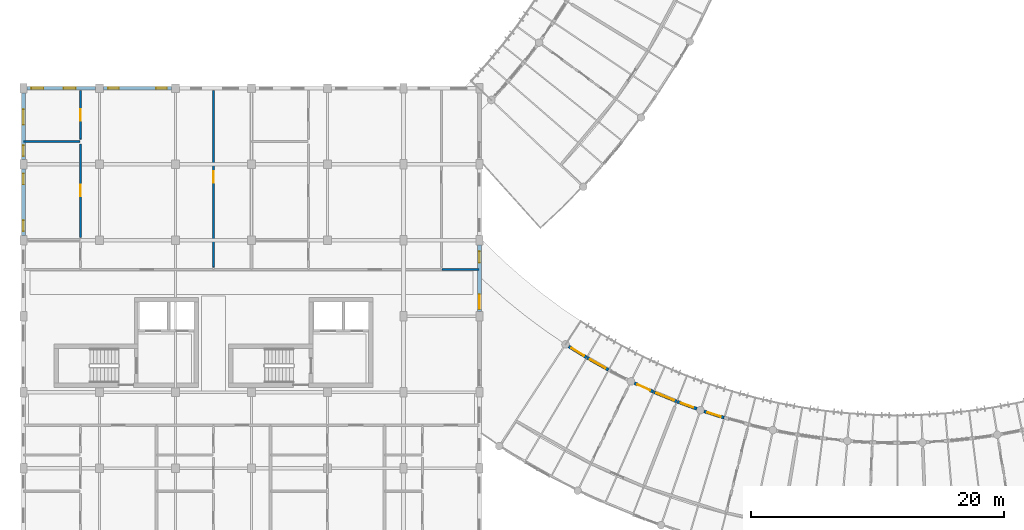
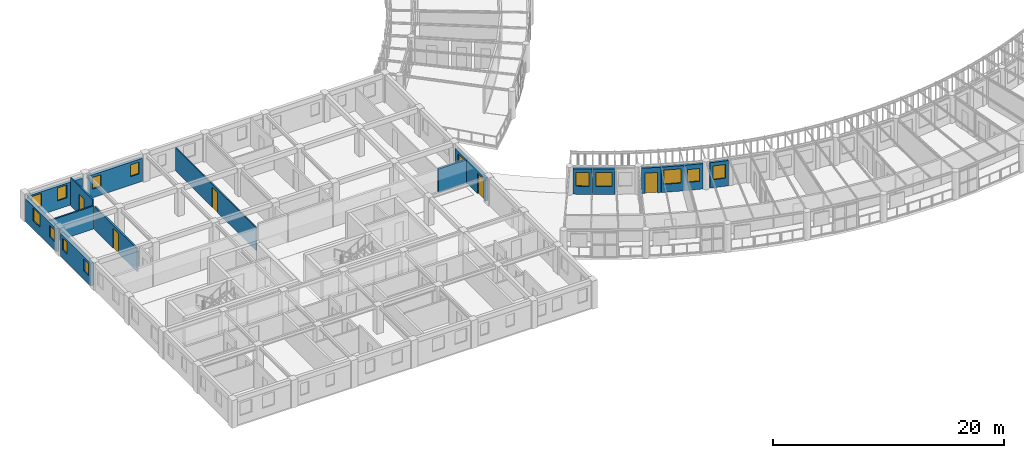
# One storey, part 58 of 100: 16 walls, 14 windows, 5 doors, 19 openings.
"""IFC4 building model written with IfcOpenShell, lengths in metres."""

from ifc_helpers import new_model, si_unit, direction, frame, frame_2d, origin, place, context, subcontext, project, spatial, rectangle, extrude, material, layer, layer_set, type_object, element, fill, save


model = new_model("IFC4")

# Units and contexts
model_context = context("Model", 3, precision=1e-05, world=origin(), true_north=direction((0.0, 1.0)))
body_context = subcontext(model_context, "Body", "Model", "MODEL_VIEW")
ifc_project = project(units=[si_unit("LENGTHUNIT", "METRE"), si_unit("AREAUNIT", "SQUARE_METRE"), si_unit("VOLUMEUNIT", "CUBIC_METRE"), si_unit("PLANEANGLEUNIT", "RADIAN"), si_unit("MASSUNIT", "GRAM", prefix="KILO"), si_unit("POWERUNIT", "WATT"), si_unit("THERMODYNAMICTEMPERATUREUNIT", "KELVIN")], contexts=[model_context])

# Site, building, storey
site_placement = place(None, origin())
site = spatial("IfcSite", under=ifc_project, at=site_placement, CompositionType="ELEMENT")
building_placement = place(site_placement, origin())
building = spatial("IfcBuilding", under=site, at=building_placement, Name="Ruvembo Vaulted Housing Court", CompositionType="ELEMENT")
storey_placement = place(building_placement, frame((0.0, 0.0, 14.10009765625)))
storey = spatial("IfcBuildingStorey", under=building, at=storey_placement, Name="L04", CompositionType="ELEMENT", Elevation=14.10009765625)

# Wall
ifc_material_1 = material(Name="Concrete Blockwork 190", Category="masonry")
ifc_layer_1 = layer(ifc_material_1, 0.18994140625, Name="Concrete Blockwork 190")
ifc_layer_set_1 = layer_set([ifc_layer_1], Name="Concrete Blockwork 190")
wall_type_1 = type_object("IfcWallType", Name="WL-CORR-190", PredefinedType="SOLIDWALL", material=ifc_layer_set_1)
wall_1_placement = place(storey_placement, frame((33.0400390625, 27.699951171875, 0.0), z_axis=(0.0, 0.0, 1.0), x_axis=(1.0, 0.0, 0.0)))
element("IfcWall", 1, at=wall_1_placement, inside=storey, type_object=wall_type_1, Name="L04 Flat A-L04-N2 Corridor Wall 2 WL-INT-L04-01135", PredefinedType="SOLIDWALL", context=body_context, shape_type="SweptSolid", body=[
    extrude(rectangle(XDim=2.919921875, YDim=0.18994140625, at=frame_2d((1.4599609375, 0.0))), origin(), (0.0, 0.0, 1.0), 2.431884765625),
])

# Wall, opening, window
ifc_material_2 = material(Name="Rendered Masonry 235", Category="masonry")
ifc_layer_2 = layer(ifc_material_2, 0.235107421875, Name="Rendered Masonry 235")
ifc_layer_set_2 = layer_set([ifc_layer_2], Name="Rendered Masonry 235")
wall_type_2 = type_object("IfcWallType", Name="WL-EXT-235", PredefinedType="STANDARD", material=ifc_layer_set_2)
wall_2_placement = place(storey_placement, frame((43.048095703125, 21.626708984375, 0.0), z_axis=(0.0, 0.0, 1.0), x_axis=(0.848955427013, -0.528464457598, 0.0)))
wall_2 = element("IfcWall", 2, at=wall_2_placement, inside=storey, type_object=wall_type_2, Name="Scoop SC2 L04 Concave Balcony Wall 0", PredefinedType="STANDARD", context=body_context, shape_type="SweptSolid", body=[
    extrude(rectangle(XDim=1.659912109375, YDim=0.235107421875, at=frame_2d((0.830078125, 0.0))), origin(), (0.0, 0.0, 1.0), 2.683837890625),
])
opening_1_placement = place(wall_2_placement, frame((0.2548828125, 0.0, 0.85009765625)))
opening_1 = element("IfcOpeningElement", 3, at=opening_1_placement, cuts=wall_2, Name="Opening W11", PredefinedType="OPENING", context=body_context, shape_type="SweptSolid", body=[
    extrude(rectangle(XDim=1.14990234375, YDim=1.449951171875, at=frame_2d((0.574951171875, 0.72509765625))), frame((0.0, 0.12744140625, 0.0), z_axis=(0.0, -1.0, 0.0), x_axis=(1.0, 0.0, 0.0)), (0.0, 0.0, 1.0), 0.255126953125),
])
ifc_material_3 = material(Name="Double Solar-Control Glazing in Aluminium Frame", Category="aluminium")
window_type_1 = type_object("IfcWindowType", Name="WIN-1150x1450", PartitioningType="SINGLE_PANEL", PredefinedType="WINDOW", material=ifc_material_3)
window_1_placement = place(opening_1_placement, origin())
window_1 = element("IfcWindow", 4, at=window_1_placement, inside=storey, type_object=window_type_1, Name="Scoop SC2 L04 Concave Window 0", OverallHeight=1.449951171875, OverallWidth=1.14990234375, PartitioningType="SINGLE_PANEL", PredefinedType="WINDOW", context=body_context, shape_type="SweptSolid", body=[
    extrude(rectangle(XDim=1.14990234375, YDim=1.449951171875, at=frame_2d((0.574951171875, 0.72509765625))), frame((0.0, 0.030029296875, 0.0), z_axis=(0.0, -1.0, 0.0), x_axis=(1.0, 0.0, 0.0)), (0.0, 0.0, 1.0), 0.06005859375),
])
fill(opening_1, window_1)

wall_3_placement = place(storey_placement, frame((44.49169921875, 20.72900390625, 0.0), z_axis=(0.0, 0.0, 1.0), x_axis=(0.86993400964, -0.493168144623, 0.0)))
wall_3 = element("IfcWall", 5, at=wall_3_placement, inside=storey, type_object=wall_type_2, Name="Scoop SC2 L04 Concave Balcony Wall 1", PredefinedType="STANDARD", context=body_context, shape_type="SweptSolid", body=[
    extrude(rectangle(XDim=1.940185546875, YDim=0.235107421875, at=frame_2d((0.97021484375, 0.0))), origin(), (0.0, 0.0, 1.0), 2.683837890625),
])
opening_2_placement = place(wall_3_placement, frame((0.27001953125, 0.0, 0.85009765625)))
opening_2 = element("IfcOpeningElement", 6, at=opening_2_placement, cuts=wall_3, Name="Opening W17", PredefinedType="OPENING", context=body_context, shape_type="SweptSolid", body=[
    extrude(rectangle(XDim=1.39990234375, YDim=1.5, at=frame_2d((0.699951171875, 0.75))), frame((0.0, 0.12744140625, 0.0), z_axis=(0.0, -1.0, 0.0), x_axis=(1.0, 0.0, 0.0)), (0.0, 0.0, 1.0), 0.255126953125),
])
window_type_2 = type_object("IfcWindowType", Name="WIN-1400x1500", PartitioningType="SINGLE_PANEL", PredefinedType="WINDOW", material=ifc_material_3)
window_2_placement = place(opening_2_placement, origin())
window_2 = element("IfcWindow", 7, at=window_2_placement, inside=storey, type_object=window_type_2, Name="Scoop SC2 L04 Concave Window 1", OverallHeight=1.5, OverallWidth=1.39990234375, PartitioningType="SINGLE_PANEL", PredefinedType="WINDOW", context=body_context, shape_type="SweptSolid", body=[
    extrude(rectangle(XDim=1.39990234375, YDim=1.5, at=frame_2d((0.699951171875, 0.75))), frame((0.0, 0.030029296875, 0.0), z_axis=(0.0, -1.0, 0.0), x_axis=(1.0, 0.0, 0.0)), (0.0, 0.0, 1.0), 0.06005859375),
])
fill(opening_2, window_2)

# Wall, opening, door
wall_4_placement = place(storey_placement, frame((48.23046875, 18.73193359375, 0.0), z_axis=(0.0, 0.0, 1.0), x_axis=(0.907631944022, -0.419766904592, 0.0)))
wall_4 = element("IfcWall", 8, at=wall_4_placement, inside=storey, type_object=wall_type_2, Name="Scoop SC2 L04 Concave Balcony Wall 3", PredefinedType="STANDARD", context=body_context, shape_type="SweptSolid", body=[
    extrude(rectangle(XDim=1.659912109375, YDim=0.235107421875, at=frame_2d((0.830078125, 0.0))), origin(), (0.0, 0.0, 1.0), 2.683837890625),
])
opening_3_placement = place(wall_4_placement, frame((0.280029296875, 0.0, 0.0)))
opening_3 = element("IfcOpeningElement", 9, at=opening_3_placement, cuts=wall_4, Name="Opening BD3", PredefinedType="OPENING", context=body_context, shape_type="SweptSolid", body=[
    extrude(rectangle(XDim=1.10009765625, YDim=2.14990234375, at=frame_2d((0.550048828125, 1.074951171875))), frame((0.0, 0.12744140625, 0.0), z_axis=(0.0, -1.0, 0.0), x_axis=(1.0, 0.0, 0.0)), (0.0, 0.0, 1.0), 0.255126953125),
])
ifc_material_4 = material(Name="Thermally Broken Glazed Aluminium", Category="aluminium")
door_type_1 = type_object("IfcDoorType", Name="DR-BAL-1100x2150", OperationType="NOTDEFINED", PredefinedType="DOOR", material=ifc_material_4)
door_1_placement = place(opening_3_placement, origin())
door_1 = element("IfcDoor", 10, at=door_1_placement, inside=storey, type_object=door_type_1, Name="Scoop SC2 L04 Balcony Door 3", OperationType="SINGLE_SWING_LEFT", OverallHeight=2.14990234375, OverallWidth=1.10009765625, PredefinedType="DOOR", context=body_context, shape_type="SweptSolid", body=[
    extrude(rectangle(XDim=1.10009765625, YDim=2.14990234375, at=frame_2d((0.550048828125, 1.074951171875))), frame((0.0, 0.02490234375, 0.0), z_axis=(0.0, -1.0, 0.0), x_axis=(1.0, 0.0, 0.0)), (0.0, 0.0, 1.0), 0.050048828125),
])
fill(opening_3, door_1)

# Wall, opening, window
wall_5_placement = place(storey_placement, frame((49.773681640625, 18.019287109375, 0.0), z_axis=(0.0, 0.0, 1.0), x_axis=(0.92414555515, -0.382040564465, 0.0)))
wall_5 = element("IfcWall", 11, at=wall_5_placement, inside=storey, type_object=wall_type_2, Name="Scoop SC2 L04 Concave Balcony Wall 4", PredefinedType="STANDARD", context=body_context, shape_type="SweptSolid", body=[
    extrude(rectangle(XDim=1.940185546875, YDim=0.235107421875, at=frame_2d((0.97021484375, 0.0))), origin(), (0.0, 0.0, 1.0), 2.683837890625),
])
opening_4_placement = place(wall_5_placement, frame((0.219970703125, 0.0, 0.85009765625)))
opening_4 = element("IfcOpeningElement", 12, at=opening_4_placement, cuts=wall_5, Name="Opening W19", PredefinedType="OPENING", context=body_context, shape_type="SweptSolid", body=[
    extrude(rectangle(XDim=1.5, YDim=1.5, at=frame_2d((0.75, 0.75))), frame((0.0, 0.12744140625, 0.0), z_axis=(0.0, -1.0, 0.0), x_axis=(1.0, 0.0, 0.0)), (0.0, 0.0, 1.0), 0.255126953125),
])
window_type_3 = type_object("IfcWindowType", Name="WIN-1500x1500", PartitioningType="SINGLE_PANEL", PredefinedType="WINDOW", material=ifc_material_3)
window_3_placement = place(opening_4_placement, origin())
window_3 = element("IfcWindow", 13, at=window_3_placement, inside=storey, type_object=window_type_3, Name="Scoop SC2 L04 Concave Window 4", OverallHeight=1.5, OverallWidth=1.5, PartitioningType="SINGLE_PANEL", PredefinedType="WINDOW", context=body_context, shape_type="SweptSolid", body=[
    extrude(rectangle(XDim=1.5, YDim=1.5, at=frame_2d((0.75, 0.75))), frame((0.0, 0.030029296875, 0.0), z_axis=(0.0, -1.0, 0.0), x_axis=(1.0, 0.0, 0.0)), (0.0, 0.0, 1.0), 0.06005859375),
])
fill(opening_4, window_3)

wall_6_placement = place(storey_placement, frame((51.60400390625, 17.263671875, 0.0), z_axis=(0.0, 0.0, 1.0), x_axis=(0.939139054149, -0.343537242482, 0.0)))
wall_6 = element("IfcWall", 14, at=wall_6_placement, inside=storey, type_object=wall_type_2, Name="Scoop SC2 L04 Concave Balcony Wall 5", PredefinedType="STANDARD", context=body_context, shape_type="SweptSolid", body=[
    extrude(rectangle(XDim=1.66015625, YDim=0.235107421875, at=frame_2d((0.830078125, 0.0))), origin(), (0.0, 0.0, 1.0), 2.683837890625),
])
opening_5_placement = place(wall_6_placement, frame((0.304931640625, 0.0, 0.85009765625)))
opening_5 = element("IfcOpeningElement", 15, at=opening_5_placement, cuts=wall_6, Name="Opening W09", PredefinedType="OPENING", context=body_context, shape_type="SweptSolid", body=[
    extrude(rectangle(XDim=1.050048828125, YDim=1.35009765625, at=frame_2d((0.52490234375, 0.675048828125))), frame((0.0, 0.12744140625, 0.0), z_axis=(0.0, -1.0, 0.0), x_axis=(1.0, 0.0, 0.0)), (0.0, 0.0, 1.0), 0.255126953125),
])
window_type_4 = type_object("IfcWindowType", Name="WIN-1050x1350", PartitioningType="SINGLE_PANEL", PredefinedType="WINDOW", material=ifc_material_3)
window_4_placement = place(opening_5_placement, origin())
window_4 = element("IfcWindow", 16, at=window_4_placement, inside=storey, type_object=window_type_4, Name="Scoop SC2 L04 Concave Window 5", OverallHeight=1.35009765625, OverallWidth=1.050048828125, PartitioningType="SINGLE_PANEL", PredefinedType="WINDOW", context=body_context, shape_type="SweptSolid", body=[
    extrude(rectangle(XDim=1.050048828125, YDim=1.35009765625, at=frame_2d((0.52490234375, 0.675048828125))), frame((0.0, 0.030029296875, 0.0), z_axis=(0.0, -1.0, 0.0), x_axis=(1.0, 0.0, 0.0)), (0.0, 0.0, 1.0), 0.06005859375),
])
fill(opening_5, window_4)

wall_7_placement = place(storey_placement, frame((53.730712890625, 16.4990234375, 0.0), z_axis=(0.0, 0.0, 1.0), x_axis=(0.952523149859, -0.304466170508, 0.0)))
wall_7 = element("IfcWall", 17, at=wall_7_placement, inside=storey, type_object=wall_type_2, Name="Scoop SC2 L04 Concave Balcony Wall 6", PredefinedType="STANDARD", context=body_context, shape_type="SweptSolid", body=[
    extrude(rectangle(XDim=1.659912109375, YDim=0.235107421875, at=frame_2d((0.830078125, 0.0))), origin(), (0.0, 0.0, 1.0), 2.683837890625),
])
opening_6_placement = place(wall_7_placement, frame((0.280029296875, 0.0, 0.85009765625)))
opening_6 = element("IfcOpeningElement", 18, at=opening_6_placement, cuts=wall_7, Name="Opening W10", PredefinedType="OPENING", context=body_context, shape_type="SweptSolid", body=[
    extrude(rectangle(XDim=1.10009765625, YDim=1.449951171875, at=frame_2d((0.550048828125, 0.72509765625))), frame((0.0, 0.12744140625, 0.0), z_axis=(0.0, -1.0, 0.0), x_axis=(1.0, 0.0, 0.0)), (0.0, 0.0, 1.0), 0.255126953125),
])
window_type_5 = type_object("IfcWindowType", Name="WIN-1100x1450", PartitioningType="SINGLE_PANEL", PredefinedType="WINDOW", material=ifc_material_3)
window_5_placement = place(opening_6_placement, origin())
window_5 = element("IfcWindow", 19, at=window_5_placement, inside=storey, type_object=window_type_5, Name="Scoop SC2 L04 Concave Window 6", OverallHeight=1.449951171875, OverallWidth=1.10009765625, PartitioningType="SINGLE_PANEL", PredefinedType="WINDOW", context=body_context, shape_type="SweptSolid", body=[
    extrude(rectangle(XDim=1.10009765625, YDim=1.449951171875, at=frame_2d((0.550048828125, 0.72509765625))), frame((0.0, 0.030029296875, 0.0), z_axis=(0.0, -1.0, 0.0), x_axis=(1.0, 0.0, 0.0)), (0.0, 0.0, 1.0), 0.06005859375),
])
fill(opening_6, window_5)

# Wall, openings, door, window
ifc_material_5 = material(Name="Rendered Masonry 285", Category="masonry")
ifc_layer_3 = layer(ifc_material_5, 0.284912109375, Name="Rendered Masonry 285")
ifc_layer_set_3 = layer_set([ifc_layer_3], Name="Rendered Masonry 285")
wall_type_3 = type_object("IfcWallType", Name="WL-EXT-285", PredefinedType="STANDARD", material=ifc_layer_set_3)
wall_8_placement = place(storey_placement, frame((36.0, 24.375, 0.0), z_axis=(0.0, 0.0, 1.0), x_axis=(0.0, 1.0, 0.0)))
wall_8 = element("IfcWall", 20, at=wall_8_placement, inside=storey, type_object=wall_type_3, Name="Block A L04 Exterior Wall EAST #4", PredefinedType="STANDARD", context=body_context, shape_type="SweptSolid", body=[
    extrude(rectangle(XDim=5.25, YDim=0.284912109375, at=frame_2d((2.625, 0.0))), origin(), (0.0, 0.0, 1.0), 2.431884765625),
])
opening_7_placement = place(wall_8_placement, frame((0.199951171875, 0.0, 0.0)))
opening_7 = element("IfcOpeningElement", 21, at=opening_7_placement, cuts=wall_8, Name="Opening GD1", PredefinedType="OPENING", context=body_context, shape_type="SweptSolid", body=[
    extrude(rectangle(XDim=1.14990234375, YDim=2.14990234375, at=frame_2d((0.574951171875, 1.074951171875))), frame((0.0, 0.15234375, 0.0), z_axis=(0.0, -1.0, 0.0), x_axis=(1.0, 0.0, 0.0)), (0.0, 0.0, 1.0), 0.304931640625),
])
opening_8_placement = place(wall_8_placement, frame((3.857421875, 0.0, 0.89990234375)))
opening_8 = element("IfcOpeningElement", 22, at=opening_8_placement, cuts=wall_8, Name="Opening W04", PredefinedType="OPENING", context=body_context, shape_type="SweptSolid", body=[
    extrude(rectangle(XDim=0.89990234375, YDim=1.300048828125, at=frame_2d((0.449951171875, 0.64990234375))), frame((0.0, 0.15234375, 0.0), z_axis=(0.0, -1.0, 0.0), x_axis=(1.0, 0.0, 0.0)), (0.0, 0.0, 1.0), 0.304931640625),
])
door_type_2 = type_object("IfcDoorType", Name="DR-GAL-1150x2150", OperationType="NOTDEFINED", PredefinedType="DOOR", material=ifc_material_4)
door_2_placement = place(opening_7_placement, frame((1.14990234375, 0.0, 0.0), z_axis=(0.0, 0.0, 1.0), x_axis=(-1.0, 0.0, 0.0)))
door_2 = element("IfcDoor", 23, at=door_2_placement, inside=storey, type_object=door_type_2, Name="Block A L04 Terrace or Gallery Door DR-TER-A-L04-017", OperationType="SINGLE_SWING_RIGHT", OverallHeight=2.14990234375, OverallWidth=1.14990234375, PredefinedType="DOOR", context=body_context, shape_type="SweptSolid", body=[
    extrude(rectangle(XDim=1.14990234375, YDim=2.14990234375, at=frame_2d((0.574951171875, 1.074951171875))), frame((0.0, 0.02490234375, 0.0), z_axis=(0.0, -1.0, 0.0), x_axis=(1.0, 0.0, 0.0)), (0.0, 0.0, 1.0), 0.050048828125),
])
fill(opening_7, door_2)
window_type_6 = type_object("IfcWindowType", Name="WIN-0900x1300", PartitioningType="SINGLE_PANEL", PredefinedType="WINDOW", material=ifc_material_3)
window_6_placement = place(opening_8_placement, origin())
window_6 = element("IfcWindow", 24, at=window_6_placement, inside=storey, type_object=window_type_6, Name="Block A L04 Window #182", OverallHeight=1.300048828125, OverallWidth=0.89990234375, PartitioningType="SINGLE_PANEL", PredefinedType="WINDOW", context=body_context, shape_type="SweptSolid", body=[
    extrude(rectangle(XDim=0.89990234375, YDim=1.300048828125, at=frame_2d((0.449951171875, 0.64990234375))), frame((0.0, 0.030029296875, 0.0), z_axis=(0.0, -1.0, 0.0), x_axis=(1.0, 0.0, 0.0)), (0.0, 0.0, 1.0), 0.06005859375),
])
fill(opening_8, window_6)

# Wall, openings, windows
wall_9_placement = place(storey_placement, frame((11.675048828125, 42.0, 0.0), z_axis=(0.0, 0.0, 1.0), x_axis=(-1.0, 0.0, 0.0)))
wall_9 = element("IfcWall", 25, at=wall_9_placement, inside=storey, type_object=wall_type_3, Name="Block A L04 Exterior Wall COURTYARD #5", PredefinedType="STANDARD", context=body_context, shape_type="SweptSolid", body=[
    extrude(rectangle(XDim=5.35009765625, YDim=0.284912109375, at=frame_2d((2.675048828125, 0.0))), origin(), (0.0, 0.0, 1.0), 2.431884765625),
])
opening_9_placement = place(wall_9_placement, frame((0.35009765625, 0.0, 0.89990234375)))
opening_9 = element("IfcOpeningElement", 26, at=opening_9_placement, cuts=wall_9, Name="Opening W03", PredefinedType="OPENING", context=body_context, shape_type="SweptSolid", body=[
    extrude(rectangle(XDim=0.85009765625, YDim=1.25, at=frame_2d((0.425048828125, 0.625))), frame((0.0, 0.15234375, 0.0), z_axis=(0.0, -1.0, 0.0), x_axis=(1.0, 0.0, 0.0)), (0.0, 0.0, 1.0), 0.304931640625),
])
opening_10_placement = place(wall_9_placement, frame((4.14990234375, 0.0, 0.89990234375)))
opening_10 = element("IfcOpeningElement", 27, at=opening_10_placement, cuts=wall_9, Name="Opening W03", PredefinedType="OPENING", context=body_context, shape_type="SweptSolid", body=[
    extrude(rectangle(XDim=0.85009765625, YDim=1.25, at=frame_2d((0.425048828125, 0.625))), frame((0.0, 0.15234375, 0.0), z_axis=(0.0, -1.0, 0.0), x_axis=(1.0, 0.0, 0.0)), (0.0, 0.0, 1.0), 0.304931640625),
])
window_type_7 = type_object("IfcWindowType", Name="WIN-0850x1250", PartitioningType="SINGLE_PANEL", PredefinedType="WINDOW", material=ifc_material_3)
window_7_placement = place(opening_9_placement, origin())
window_7 = element("IfcWindow", 28, at=window_7_placement, inside=storey, type_object=window_type_7, Name="Block A L04 Window #193", OverallHeight=1.25, OverallWidth=0.85009765625, PartitioningType="SINGLE_PANEL", PredefinedType="WINDOW", context=body_context, shape_type="SweptSolid", body=[
    extrude(rectangle(XDim=0.85009765625, YDim=1.25, at=frame_2d((0.425048828125, 0.625))), frame((0.0, 0.030029296875, 0.0), z_axis=(0.0, -1.0, 0.0), x_axis=(1.0, 0.0, 0.0)), (0.0, 0.0, 1.0), 0.06005859375),
])
fill(opening_9, window_7)
window_8_placement = place(opening_10_placement, origin())
window_8 = element("IfcWindow", 29, at=window_8_placement, inside=storey, type_object=window_type_7, Name="Block A L04 Window #194", OverallHeight=1.25, OverallWidth=0.85009765625, PartitioningType="SINGLE_PANEL", PredefinedType="WINDOW", context=body_context, shape_type="SweptSolid", body=[
    extrude(rectangle(XDim=0.85009765625, YDim=1.25, at=frame_2d((0.425048828125, 0.625))), frame((0.0, 0.030029296875, 0.0), z_axis=(0.0, -1.0, 0.0), x_axis=(1.0, 0.0, 0.0)), (0.0, 0.0, 1.0), 0.06005859375),
])
fill(opening_10, window_8)

wall_10_placement = place(storey_placement, frame((5.675048828125, 42.0, 0.0), z_axis=(0.0, 0.0, 1.0), x_axis=(-1.0, 0.0, 0.0)))
wall_10 = element("IfcWall", 30, at=wall_10_placement, inside=storey, type_object=wall_type_3, Name="Block A L04 Exterior Wall COURTYARD #6", PredefinedType="STANDARD", context=body_context, shape_type="SweptSolid", body=[
    extrude(rectangle(XDim=5.400146484375, YDim=0.284912109375, at=frame_2d((2.7001953125, 0.0))), origin(), (0.0, 0.0, 1.0), 2.431884765625),
])
opening_11_placement = place(wall_10_placement, frame((1.56494140625, 0.0, 0.89990234375)))
opening_11 = element("IfcOpeningElement", 31, at=opening_11_placement, cuts=wall_10, Name="Opening W07", PredefinedType="OPENING", context=body_context, shape_type="SweptSolid", body=[
    extrude(rectangle(XDim=0.949951171875, YDim=1.35009765625, at=frame_2d((0.47509765625, 0.675048828125))), frame((0.0, 0.15234375, 0.0), z_axis=(0.0, -1.0, 0.0), x_axis=(1.0, 0.0, 0.0)), (0.0, 0.0, 1.0), 0.304931640625),
])
opening_12_placement = place(wall_10_placement, frame((4.10009765625, 0.0, 0.89990234375)))
opening_12 = element("IfcOpeningElement", 32, at=opening_12_placement, cuts=wall_10, Name="Opening W07", PredefinedType="OPENING", context=body_context, shape_type="SweptSolid", body=[
    extrude(rectangle(XDim=0.949951171875, YDim=1.35009765625, at=frame_2d((0.47509765625, 0.675048828125))), frame((0.0, 0.15234375, 0.0), z_axis=(0.0, -1.0, 0.0), x_axis=(1.0, 0.0, 0.0)), (0.0, 0.0, 1.0), 0.304931640625),
])
window_type_8 = type_object("IfcWindowType", Name="WIN-0950x1350", PartitioningType="SINGLE_PANEL", PredefinedType="WINDOW", material=ifc_material_3)
window_9_placement = place(opening_11_placement, origin())
window_9 = element("IfcWindow", 33, at=window_9_placement, inside=storey, type_object=window_type_8, Name="Block A L04 Window #195", OverallHeight=1.35009765625, OverallWidth=0.949951171875, PartitioningType="SINGLE_PANEL", PredefinedType="WINDOW", context=body_context, shape_type="SweptSolid", body=[
    extrude(rectangle(XDim=0.949951171875, YDim=1.35009765625, at=frame_2d((0.47509765625, 0.675048828125))), frame((0.0, 0.030029296875, 0.0), z_axis=(0.0, -1.0, 0.0), x_axis=(1.0, 0.0, 0.0)), (0.0, 0.0, 1.0), 0.06005859375),
])
fill(opening_11, window_9)
window_10_placement = place(opening_12_placement, origin())
window_10 = element("IfcWindow", 34, at=window_10_placement, inside=storey, type_object=window_type_8, Name="Block A L04 Window #196", OverallHeight=1.35009765625, OverallWidth=0.949951171875, PartitioningType="SINGLE_PANEL", PredefinedType="WINDOW", context=body_context, shape_type="SweptSolid", body=[
    extrude(rectangle(XDim=0.949951171875, YDim=1.35009765625, at=frame_2d((0.47509765625, 0.675048828125))), frame((0.0, 0.030029296875, 0.0), z_axis=(0.0, -1.0, 0.0), x_axis=(1.0, 0.0, 0.0)), (0.0, 0.0, 1.0), 0.06005859375),
])
fill(opening_12, window_10)

wall_11_placement = place(storey_placement, frame((0.0, 41.625, 0.0), z_axis=(0.0, 0.0, 1.0), x_axis=(0.0, -1.0, 0.0)))
wall_11 = element("IfcWall", 35, at=wall_11_placement, inside=storey, type_object=wall_type_3, Name="Block A L04 Exterior Wall WEST #1", PredefinedType="STANDARD", context=body_context, shape_type="SweptSolid", body=[
    extrude(rectangle(XDim=5.25, YDim=0.284912109375, at=frame_2d((2.625, 0.0))), origin(), (0.0, 0.0, 1.0), 2.431884765625),
])
opening_13_placement = place(wall_11_placement, frame((1.29248046875, 0.0, 0.89990234375)))
opening_13 = element("IfcOpeningElement", 36, at=opening_13_placement, cuts=wall_11, Name="Opening W12", PredefinedType="OPENING", context=body_context, shape_type="SweptSolid", body=[
    extrude(rectangle(XDim=1.199951171875, YDim=1.35009765625, at=frame_2d((0.60009765625, 0.675048828125))), frame((0.0, 0.15234375, 0.0), z_axis=(0.0, -1.0, 0.0), x_axis=(1.0, 0.0, 0.0)), (0.0, 0.0, 1.0), 0.304931640625),
])
opening_14_placement = place(wall_11_placement, frame((4.132568359375, 0.0, 0.89990234375)))
opening_14 = element("IfcOpeningElement", 37, at=opening_14_placement, cuts=wall_11, Name="Opening W03", PredefinedType="OPENING", context=body_context, shape_type="SweptSolid", body=[
    extrude(rectangle(XDim=0.85009765625, YDim=1.25, at=frame_2d((0.425048828125, 0.625))), frame((0.0, 0.15234375, 0.0), z_axis=(0.0, -1.0, 0.0), x_axis=(1.0, 0.0, 0.0)), (0.0, 0.0, 1.0), 0.304931640625),
])
window_11_placement = place(opening_14_placement, origin())
window_11 = element("IfcWindow", 38, at=window_11_placement, inside=storey, type_object=window_type_7, Name="Block A L04 Window #198", OverallHeight=1.25, OverallWidth=0.85009765625, PartitioningType="SINGLE_PANEL", PredefinedType="WINDOW", context=body_context, shape_type="SweptSolid", body=[
    extrude(rectangle(XDim=0.85009765625, YDim=1.25, at=frame_2d((0.425048828125, 0.625))), frame((0.0, 0.030029296875, 0.0), z_axis=(0.0, -1.0, 0.0), x_axis=(1.0, 0.0, 0.0)), (0.0, 0.0, 1.0), 0.06005859375),
])
fill(opening_14, window_11)
window_type_9 = type_object("IfcWindowType", Name="WIN-1200x1350", PartitioningType="SINGLE_PANEL", PredefinedType="WINDOW", material=ifc_material_3)
window_12_placement = place(opening_13_placement, origin())
window_12 = element("IfcWindow", 39, at=window_12_placement, inside=storey, type_object=window_type_9, Name="Block A L04 Window #197", OverallHeight=1.35009765625, OverallWidth=1.199951171875, PartitioningType="SINGLE_PANEL", PredefinedType="WINDOW", context=body_context, shape_type="SweptSolid", body=[
    extrude(rectangle(XDim=1.199951171875, YDim=1.35009765625, at=frame_2d((0.60009765625, 0.675048828125))), frame((0.0, 0.030029296875, 0.0), z_axis=(0.0, -1.0, 0.0), x_axis=(1.0, 0.0, 0.0)), (0.0, 0.0, 1.0), 0.06005859375),
])
fill(opening_13, window_12)

wall_12_placement = place(storey_placement, frame((0.0, 35.625, 0.0), z_axis=(0.0, 0.0, 1.0), x_axis=(0.0, -1.0, 0.0)))
wall_12 = element("IfcWall", 40, at=wall_12_placement, inside=storey, type_object=wall_type_3, Name="Block A L04 Exterior Wall WEST #2", PredefinedType="STANDARD", context=body_context, shape_type="SweptSolid", body=[
    extrude(rectangle(XDim=5.25, YDim=0.284912109375, at=frame_2d((2.625, 0.0))), origin(), (0.0, 0.0, 1.0), 2.431884765625),
])
opening_15_placement = place(wall_12_placement, frame((0.35009765625, 0.0, 0.89990234375)))
opening_15 = element("IfcOpeningElement", 41, at=opening_15_placement, cuts=wall_12, Name="Opening W03", PredefinedType="OPENING", context=body_context, shape_type="SweptSolid", body=[
    extrude(rectangle(XDim=0.85009765625, YDim=1.25, at=frame_2d((0.425048828125, 0.625))), frame((0.0, 0.15234375, 0.0), z_axis=(0.0, -1.0, 0.0), x_axis=(1.0, 0.0, 0.0)), (0.0, 0.0, 1.0), 0.304931640625),
])
opening_16_placement = place(wall_12_placement, frame((4.050048828125, 0.0, 0.89990234375)))
opening_16 = element("IfcOpeningElement", 42, at=opening_16_placement, cuts=wall_12, Name="Opening W03", PredefinedType="OPENING", context=body_context, shape_type="SweptSolid", body=[
    extrude(rectangle(XDim=0.85009765625, YDim=1.25, at=frame_2d((0.425048828125, 0.625))), frame((0.0, 0.15234375, 0.0), z_axis=(0.0, -1.0, 0.0), x_axis=(1.0, 0.0, 0.0)), (0.0, 0.0, 1.0), 0.304931640625),
])
window_13_placement = place(opening_15_placement, origin())
window_13 = element("IfcWindow", 43, at=window_13_placement, inside=storey, type_object=window_type_7, Name="Block A L04 Window #199", OverallHeight=1.25, OverallWidth=0.85009765625, PartitioningType="SINGLE_PANEL", PredefinedType="WINDOW", context=body_context, shape_type="SweptSolid", body=[
    extrude(rectangle(XDim=0.85009765625, YDim=1.25, at=frame_2d((0.425048828125, 0.625))), frame((0.0, 0.030029296875, 0.0), z_axis=(0.0, -1.0, 0.0), x_axis=(1.0, 0.0, 0.0)), (0.0, 0.0, 1.0), 0.06005859375),
])
fill(opening_15, window_13)
window_14_placement = place(opening_16_placement, origin())
window_14 = element("IfcWindow", 44, at=window_14_placement, inside=storey, type_object=window_type_7, Name="Block A L04 Window #200", OverallHeight=1.25, OverallWidth=0.85009765625, PartitioningType="SINGLE_PANEL", PredefinedType="WINDOW", context=body_context, shape_type="SweptSolid", body=[
    extrude(rectangle(XDim=0.85009765625, YDim=1.25, at=frame_2d((0.425048828125, 0.625))), frame((0.0, 0.030029296875, 0.0), z_axis=(0.0, -1.0, 0.0), x_axis=(1.0, 0.0, 0.0)), (0.0, 0.0, 1.0), 0.06005859375),
])
fill(opening_16, window_14)

# Wall, opening, door
ifc_material_6 = material(Name="Plasterboard Stud Partition 125", Category="gypsum")
ifc_layer_4 = layer(ifc_material_6, 0.125, Name="Plasterboard Stud Partition 125")
ifc_layer_set_4 = layer_set([ifc_layer_4], Name="Plasterboard Stud Partition 125")
wall_type_4 = type_object("IfcWallType", Name="WL-PART-125", PredefinedType="PARTITIONING", material=ifc_layer_set_4)
wall_13_placement = place(storey_placement, frame((4.5, 37.989990234375, 0.0), z_axis=(0.0, 0.0, 1.0), x_axis=(0.0, 1.0, 0.0)))
wall_13 = element("IfcWall", 45, at=wall_13_placement, inside=storey, type_object=wall_type_4, Name="L04 Flat A-L04-N1 Bedroom 1 WL-INT-L04-01121", PredefinedType="PARTITIONING", context=body_context, shape_type="SweptSolid", body=[
    extrude(rectangle(XDim=3.820068359375, YDim=0.125, at=frame_2d((1.91015625, 0.0))), origin(), (0.0, 0.0, 1.0), 2.949951171875),
])
opening_17_placement = place(wall_13_placement, frame((1.469970703125, 0.0, 0.0)))
opening_17 = element("IfcOpeningElement", 46, at=opening_17_placement, cuts=wall_13, Name="Opening ID3", PredefinedType="OPENING", context=body_context, shape_type="SweptSolid", body=[
    extrude(rectangle(XDim=0.8798828125, YDim=2.10009765625, at=frame_2d((0.43994140625, 1.050048828125))), frame((0.0, 0.072509765625, 0.0), z_axis=(0.0, -1.0, 0.0), x_axis=(1.0, 0.0, 0.0)), (0.0, 0.0, 1.0), 0.14501953125),
])
ifc_material_7 = material(Name="FSC Hardwood and Engineered Timber", Category="wood")
door_type_3 = type_object("IfcDoorType", Name="DR-ROOM-0880x2100", OperationType="NOTDEFINED", PredefinedType="DOOR", material=ifc_material_7)
door_3_placement = place(opening_17_placement, origin())
door_3 = element("IfcDoor", 47, at=door_3_placement, inside=storey, type_object=door_type_3, Name="L04 Flat A-L04-N1 Bedroom 1 Door DR-INT-L04-00629", OperationType="SINGLE_SWING_LEFT", OverallHeight=2.10009765625, OverallWidth=0.8798828125, PredefinedType="DOOR", context=body_context, shape_type="SweptSolid", body=[
    extrude(rectangle(XDim=0.8798828125, YDim=2.10009765625, at=frame_2d((0.43994140625, 1.050048828125))), frame((0.0, 0.02490234375, 0.0), z_axis=(0.0, -1.0, 0.0), x_axis=(1.0, 0.0, 0.0)), (0.0, 0.0, 1.0), 0.050048828125),
])
fill(opening_17, door_3)

wall_14_placement = place(storey_placement, frame((15.0, 27.889892578125, 0.0), z_axis=(0.0, 0.0, 1.0), x_axis=(0.0, 1.0, 0.0)))
wall_14 = element("IfcWall", 48, at=wall_14_placement, inside=storey, type_object=wall_type_4, Name="L04 Flat A-L04-N1 Bedroom 2 WL-INT-L04-01127", PredefinedType="PARTITIONING", context=body_context, shape_type="SweptSolid", body=[
    extrude(rectangle(XDim=13.920166015625, YDim=0.125, at=frame_2d((6.9599609375, 0.0))), origin(), (0.0, 0.0, 1.0), 2.431884765625),
])
opening_18_placement = place(wall_14_placement, frame((6.64990234375, 0.0, 0.0)))
opening_18 = element("IfcOpeningElement", 49, at=opening_18_placement, cuts=wall_14, Name="Opening ID1", PredefinedType="OPENING", context=body_context, shape_type="SweptSolid", body=[
    extrude(rectangle(XDim=0.89990234375, YDim=2.10009765625, at=frame_2d((0.449951171875, 1.050048828125))), frame((0.0, 0.072509765625, 0.0), z_axis=(0.0, -1.0, 0.0), x_axis=(1.0, 0.0, 0.0)), (0.0, 0.0, 1.0), 0.14501953125),
])
door_type_4 = type_object("IfcDoorType", Name="DR-ROOM-0900x2100", OperationType="NOTDEFINED", PredefinedType="DOOR", material=ifc_material_7)
door_4_placement = place(opening_18_placement, origin())
door_4 = element("IfcDoor", 50, at=door_4_placement, inside=storey, type_object=door_type_4, Name="L04 Flat A-L04-N1 Bedroom 2 Door DR-INT-L04-00632", OperationType="SINGLE_SWING_RIGHT", OverallHeight=2.10009765625, OverallWidth=0.89990234375, PredefinedType="DOOR", context=body_context, shape_type="SweptSolid", body=[
    extrude(rectangle(XDim=0.89990234375, YDim=2.10009765625, at=frame_2d((0.449951171875, 1.050048828125))), frame((0.0, 0.02490234375, 0.0), z_axis=(0.0, -1.0, 0.0), x_axis=(1.0, 0.0, 0.0)), (0.0, 0.0, 1.0), 0.050048828125),
])
fill(opening_18, door_4)

# Wall
ifc_material_8 = material(Name="Moisture-Resistant Wet Partition 150", Category="gypsum")
ifc_layer_5 = layer(ifc_material_8, 0.14990234375, Name="Moisture-Resistant Wet Partition 150")
ifc_layer_set_5 = layer_set([ifc_layer_5], Name="Moisture-Resistant Wet Partition 150")
wall_type_5 = type_object("IfcWallType", Name="WL-PART-150", PredefinedType="PARTITIONING", material=ifc_layer_set_5)
wall_15_placement = place(storey_placement, frame((0.0400390625, 37.800048828125, 0.0), z_axis=(0.0, 0.0, 1.0), x_axis=(1.0, 0.0, 0.0)))
element("IfcWall", 51, at=wall_15_placement, inside=storey, type_object=wall_type_5, Name="L04 Flat A-L04-N1 Wet Wall 1 WL-INT-L04-01124", PredefinedType="PARTITIONING", context=body_context, shape_type="SweptSolid", body=[
    extrude(rectangle(XDim=4.419921875, YDim=0.14990234375, at=frame_2d((2.2099609375, 0.0))), origin(), (0.0, 0.0, 1.0), 2.431884765625),
])

# Wall, opening, door
ifc_material_9 = material(Name="Acoustic Service Chase Wall 160", Category="gypsum")
ifc_layer_6 = layer(ifc_material_9, 0.159912109375, Name="Acoustic Service Chase Wall 160")
ifc_layer_set_6 = layer_set([ifc_layer_6], Name="Acoustic Service Chase Wall 160")
wall_type_6 = type_object("IfcWallType", Name="WL-PLUMB-160", PredefinedType="PLUMBINGWALL", material=ifc_layer_set_6)
wall_16_placement = place(storey_placement, frame((4.5, 30.239990234375, 0.0), z_axis=(0.0, 0.0, 1.0), x_axis=(0.0, 1.0, 0.0)))
wall_16 = element("IfcWall", 52, at=wall_16_placement, inside=storey, type_object=wall_type_6, Name="L04 Flat A-L04-N1 Kitchen WL-INT-L04-01122", PredefinedType="PLUMBINGWALL", context=body_context, shape_type="SweptSolid", body=[
    extrude(rectangle(XDim=7.3701171875, YDim=0.159912109375, at=frame_2d((3.68505859375, 0.0))), origin(), (0.0, 0.0, 1.0), 2.431884765625),
])
opening_19_placement = place(wall_16_placement, frame((3.235107421875, 0.0, 0.0)))
opening_19 = element("IfcOpeningElement", 53, at=opening_19_placement, cuts=wall_16, Name="Opening ID1", PredefinedType="OPENING", context=body_context, shape_type="SweptSolid", body=[
    extrude(rectangle(XDim=0.89990234375, YDim=2.10009765625, at=frame_2d((0.449951171875, 1.050048828125))), frame((0.0, 0.08984375, 0.0), z_axis=(0.0, -1.0, 0.0), x_axis=(1.0, 0.0, 0.0)), (0.0, 0.0, 1.0), 0.179931640625),
])
door_5_placement = place(opening_19_placement, origin())
door_5 = element("IfcDoor", 54, at=door_5_placement, inside=storey, type_object=door_type_4, Name="L04 Flat A-L04-N1 Kitchen Door DR-INT-L04-00630", OperationType="SINGLE_SWING_RIGHT", OverallHeight=2.10009765625, OverallWidth=0.89990234375, PredefinedType="DOOR", context=body_context, shape_type="SweptSolid", body=[
    extrude(rectangle(XDim=0.89990234375, YDim=2.10009765625, at=frame_2d((0.449951171875, 1.050048828125))), frame((0.0, 0.02490234375, 0.0), z_axis=(0.0, -1.0, 0.0), x_axis=(1.0, 0.0, 0.0)), (0.0, 0.0, 1.0), 0.050048828125),
])
fill(opening_19, door_5)

save(model, "model.ifc")
